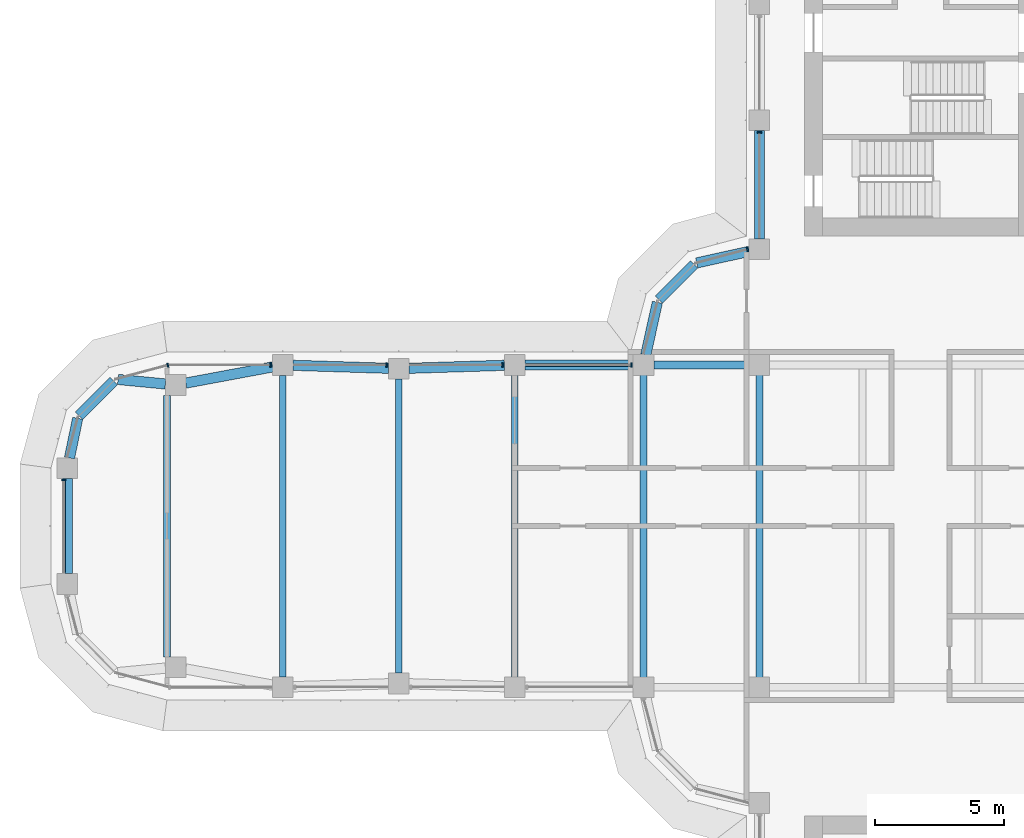
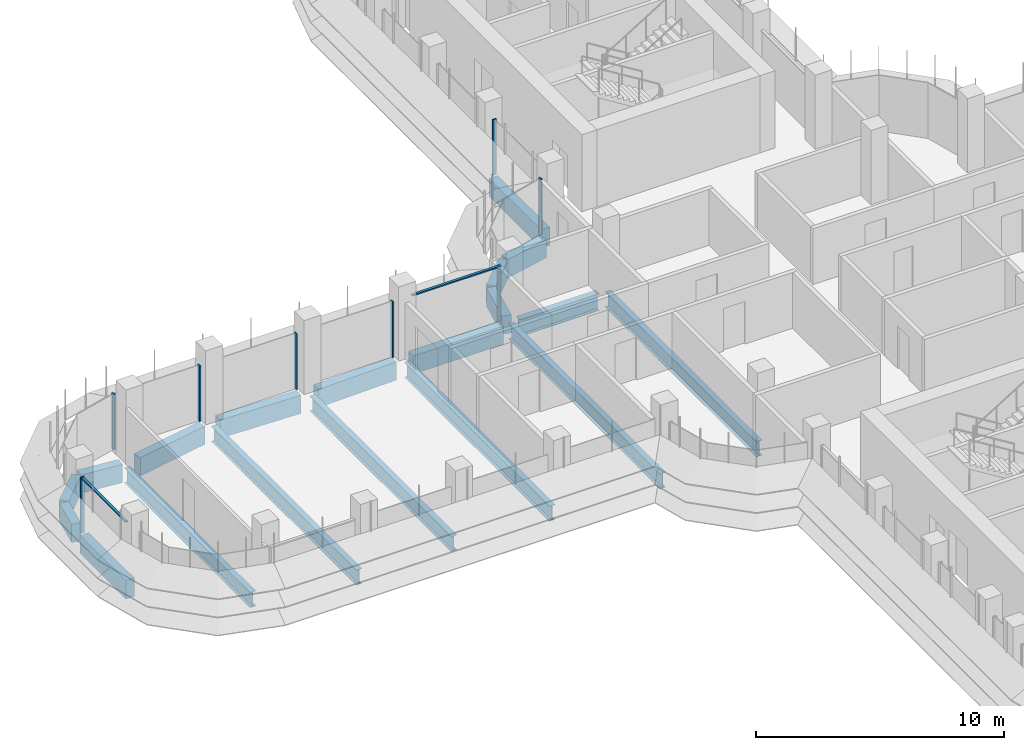
# One storey, part 6 of 20: 19 beams, 10 members, 5 elements without a shape of their own.
"""IFC4 building model written with IfcOpenShell, lengths in metres."""

from ifc_helpers import new_model, si_unit, direction, frame, origin, origin_2d, place, context, subcontext, project, spatial, polyline, rectangle, i_section, outline, extrude, source, transform, mapped, material, material_profile, profile_set, type_object, element, aggregate, save


model = new_model("IFC4")

# Units and contexts
model_context = context("Model", 3, precision=1e-05, world=origin(), true_north=direction((0.0, 1.0)))
body_context = subcontext(model_context, "Body", "Model", "MODEL_VIEW")
ifc_project = project(units=[si_unit("LENGTHUNIT", "METRE"), si_unit("AREAUNIT", "SQUARE_METRE"), si_unit("VOLUMEUNIT", "CUBIC_METRE"), si_unit("PLANEANGLEUNIT", "RADIAN"), si_unit("MASSUNIT", "GRAM", prefix="KILO")], contexts=[model_context])

# Site, building, storey
site_placement = place(None, origin())
site = spatial("IfcSite", under=ifc_project, at=site_placement, CompositionType="ELEMENT")
building_placement = place(site_placement, origin())
building = spatial("IfcBuilding", under=site, at=building_placement, Name="Zarbagh Exchange Tower", CompositionType="ELEMENT")
storey_placement = place(building_placement, frame((0.0, 0.0, 152.39990234375)))
storey = spatial("IfcBuildingStorey", under=building, at=storey_placement, Name="L36", CompositionType="ELEMENT", Elevation=152.39990234375)

# Beams
ifc_material_1 = material(Name="Steel ASTM A992 Gr 50", Category="steel")
ifc_material_profile_1 = material_profile(ifc_material_1, i_section(OverallWidth=0.26416015625, OverallDepth=0.749267578125, WebThickness=0.011962890625, FlangeThickness=0.015380859375, at=origin_2d()), Name="W30X90")
ifc_profile_set_1 = profile_set([ifc_material_profile_1], Name="Steel ASTM A992 Gr 50")
beam_type_1 = type_object("IfcBeamType", Name="Floor beam W30X90", PredefinedType="BEAM", material=ifc_profile_set_1)
for number, where, z_axis, x_axis, name in (
    (1, (-10.75, -6.10400390625, -0.5244140625), (0.0, 1.0, 0.0), (-1.0, 0.0, 0.0), "Steel floor beam"),
    (2, (-6.25, -6.10400390625, -0.5244140625), (0.0, 1.0, 0.0), (-1.0, 0.0, 0.0), "Steel floor beam"),
):
    element("IfcBeam", number, at=place(storey_placement, frame(where, z_axis=z_axis, x_axis=x_axis)), inside=storey, type_object=beam_type_1, Name=name, PredefinedType="BEAM", context=body_context, shape_type="SweptSolid", body=[
        extrude(i_section(OverallWidth=0.26416015625, OverallDepth=0.749267578125, WebThickness=0.011962890625, FlangeThickness=0.015380859375, at=origin_2d()), origin(), (0.0, 0.0, 1.0), 12.2080078125),
    ])
beam_1_placement = place(storey_placement, frame((-15.75, -5.85009765625, -0.5244140625), z_axis=(0.0, 1.0, 0.0), x_axis=(-1.0, 0.0, 0.0)))
element("IfcBeam", 3, at=beam_1_placement, inside=storey, type_object=beam_type_1, Name="Steel floor beam", PredefinedType="BEAM", context=body_context, shape_type="SweptSolid", body=[
    extrude(i_section(OverallWidth=0.26416015625, OverallDepth=0.749267578125, WebThickness=0.011962890625, FlangeThickness=0.015380859375, at=origin_2d()), origin(), (0.0, 0.0, 1.0), 11.7001953125),
])
beam_2_placement = place(storey_placement, frame((-20.25, -5.7099609375, -0.5244140625), z_axis=(0.0, 1.0, 0.0), x_axis=(-1.0, 0.0, 0.0)))
element("IfcBeam", 4, at=beam_2_placement, inside=storey, type_object=beam_type_1, Name="Steel floor beam", PredefinedType="BEAM", context=body_context, shape_type="SweptSolid", body=[
    extrude(i_section(OverallWidth=0.26416015625, OverallDepth=0.749267578125, WebThickness=0.011962890625, FlangeThickness=0.015380859375, at=origin_2d()), origin(), (0.0, 0.0, 1.0), 11.419921875),
])
beam_3_placement = place(storey_placement, frame((-24.75, -5.85009765625, -0.5244140625), z_axis=(0.0, 1.0, 0.0), x_axis=(-1.0, 0.0, 0.0)))
element("IfcBeam", 5, at=beam_3_placement, inside=storey, type_object=beam_type_1, Name="Steel floor beam", PredefinedType="BEAM", context=body_context, shape_type="SweptSolid", body=[
    extrude(i_section(OverallWidth=0.26416015625, OverallDepth=0.749267578125, WebThickness=0.011962890625, FlangeThickness=0.015380859375, at=origin_2d()), origin(), (0.0, 0.0, 1.0), 11.7001953125),
])
beam_4_placement = place(storey_placement, frame((-29.25, -5.074951171875, -0.5244140625), z_axis=(0.0, 1.0, 0.0), x_axis=(-1.0, 0.0, 0.0)))
element("IfcBeam", 6, at=beam_4_placement, inside=storey, type_object=beam_type_1, Name="Steel floor beam", PredefinedType="BEAM", context=body_context, shape_type="SweptSolid", body=[
    extrude(i_section(OverallWidth=0.26416015625, OverallDepth=0.749267578125, WebThickness=0.011962890625, FlangeThickness=0.015380859375, at=origin_2d()), origin(), (0.0, 0.0, 1.0), 10.14990234375),
])
ifc_material_profile_2 = material_profile(ifc_material_1, i_section(OverallWidth=0.2919921875, OverallDepth=0.835693359375, WebThickness=0.013916015625, FlangeThickness=0.018798828125, at=origin_2d()), Name="W33X118")
ifc_profile_set_2 = profile_set([ifc_material_profile_2], Name="Steel ASTM A992 Gr 50")
beam_type_2 = type_object("IfcBeamType", Name="Floor girder W33X118", PredefinedType="BEAM", material=ifc_profile_set_2)
beam_5_placement = place(storey_placement, frame((-10.35009765625, 6.25, -0.567626953125), z_axis=(1.0, 0.0, 0.0), x_axis=(0.0, 1.0, 0.0)))
element("IfcBeam", 7, at=beam_5_placement, inside=storey, type_object=beam_type_2, Name="Steel girder", PredefinedType="BEAM", context=body_context, shape_type="SweptSolid", body=[
    extrude(i_section(OverallWidth=0.2919921875, OverallDepth=0.835693359375, WebThickness=0.013916015625, FlangeThickness=0.018798828125, at=origin_2d()), origin(), (0.0, 0.0, 1.0), 3.7001953125),
])
ifc_material_2 = material(Name="Concrete C50/60", Category="concrete")
ifc_material_profile_3 = material_profile(ifc_material_2, rectangle(XDim=0.39990234375, YDim=0.89990234375, at=origin_2d()), Name="RC spandrel beam 400 x 900 C50/60")
ifc_profile_set_3 = profile_set([ifc_material_profile_3], Name="Concrete C50/60")
beam_type_3 = type_object("IfcBeamType", Name="RC spandrel beam 400 x 900 C50/60", PredefinedType="SPANDREL", material=ifc_profile_set_3)
beam_6_placement = place(storey_placement, frame((-33.110107421875, -1.85009765625, -0.599853515625), z_axis=(0.0, 1.0, 0.0), x_axis=(-1.0, 0.0, 0.0)))
element("IfcBeam", 8, at=beam_6_placement, inside=storey, type_object=beam_type_3, Name="RC spandrel beam", PredefinedType="SPANDREL", context=body_context, shape_type="SweptSolid", body=[
    extrude(rectangle(XDim=0.39990234375, YDim=0.89990234375, at=origin_2d()), origin(), (0.0, 0.0, 1.0), 3.7001953125),
])
beam_7_placement = place(storey_placement, frame((-33.029052734375, 2.6416015625, -0.599853515625), z_axis=(0.20216948151, 0.979350550491, 0.0), x_axis=(-0.979350550491, 0.20216948151, 0.0)))
element("IfcBeam", 9, at=beam_7_placement, inside=storey, type_object=beam_type_3, Name="RC spandrel beam", PredefinedType="SPANDREL", context=body_context, shape_type="SweptSolid", body=[
    extrude(rectangle(XDim=0.39990234375, YDim=0.89990234375, at=origin_2d()), origin(), (0.0, 0.0, 1.0), 1.573486328125),
])
beam_8_placement = place(storey_placement, frame((-32.656494140625, 4.283447265625, -0.599853515625), z_axis=(0.707106781187, 0.707106781187, 0.0), x_axis=(-0.707106781187, 0.707106781187, 0.0)))
element("IfcBeam", 10, at=beam_8_placement, inside=storey, type_object=beam_type_3, Name="RC spandrel beam", PredefinedType="SPANDREL", context=body_context, shape_type="SweptSolid", body=[
    extrude(rectangle(XDim=0.39990234375, YDim=0.89990234375, at=origin_2d()), origin(), (0.0, 0.0, 1.0), 1.9072265625),
])
beam_9_placement = place(storey_placement, frame((-31.147216796875, 5.689697265625, -0.599853515625), z_axis=(0.995435353267, -0.095438239015, 0.0), x_axis=(0.095438239015, 0.995435353267, 0.0)))
element("IfcBeam", 11, at=beam_9_placement, inside=storey, type_object=beam_type_3, Name="RC spandrel beam", PredefinedType="SPANDREL", context=body_context, shape_type="SweptSolid", body=[
    extrude(rectangle(XDim=0.39990234375, YDim=0.89990234375, at=origin_2d()), origin(), (0.0, 0.0, 1.0), 1.849609375),
])
beam_10_placement = place(storey_placement, frame((-28.514892578125, 5.54833984375, -0.599853515625), z_axis=(0.983069862768, 0.183231124313, 0.0), x_axis=(-0.183231124313, 0.983069862768, 0.0)))
element("IfcBeam", 12, at=beam_10_placement, inside=storey, type_object=beam_type_3, Name="RC spandrel beam", PredefinedType="SPANDREL", context=body_context, shape_type="SweptSolid", body=[
    extrude(rectangle(XDim=0.39990234375, YDim=0.89990234375, at=origin_2d()), origin(), (0.0, 0.0, 1.0), 3.4296875),
])
for number, where, z_axis, x_axis, name in (
    (13, (-24.35009765625, 6.237548828125, -0.599853515625), (0.999515416033, -0.031127690444, 0.0), (0.031127690444, 0.999515416033, 0.0), "RC spandrel beam"),
    (14, (-19.85009765625, 6.122314453125, -0.599853515625), (0.999515416033, 0.031127690444, 0.0), (-0.031127690444, 0.999515416033, 0.0), "RC spandrel beam"),
):
    element("IfcBeam", number, at=place(storey_placement, frame(where, z_axis=z_axis, x_axis=x_axis)), inside=storey, type_object=beam_type_3, Name=name, PredefinedType="SPANDREL", context=body_context, shape_type="SweptSolid", body=[
        extrude(rectangle(XDim=0.39990234375, YDim=0.89990234375, at=origin_2d()), origin(), (0.0, 0.0, 1.0), 3.701904296875),
    ])
beam_11_placement = place(storey_placement, frame((-15.35009765625, 6.25, -0.599853515625), z_axis=(1.0, 0.0, 0.0), x_axis=(0.0, 1.0, 0.0)))
element("IfcBeam", 15, at=beam_11_placement, inside=storey, type_object=beam_type_3, Name="RC spandrel beam", PredefinedType="SPANDREL", context=body_context, shape_type="SweptSolid", body=[
    extrude(rectangle(XDim=0.39990234375, YDim=0.89990234375, at=origin_2d()), origin(), (0.0, 0.0, 1.0), 4.2001953125),
])
beam_12_placement = place(storey_placement, frame((-10.66357421875, 6.640625, -0.599853515625), z_axis=(0.216041061437, 0.976384278741, 0.0), x_axis=(-0.976384278741, 0.216041061437, 0.0)))
element("IfcBeam", 16, at=beam_12_placement, inside=storey, type_object=beam_type_3, Name="RC spandrel beam", PredefinedType="SPANDREL", context=body_context, shape_type="SweptSolid", body=[
    extrude(rectangle(XDim=0.39990234375, YDim=0.89990234375, at=origin_2d()), origin(), (0.0, 0.0, 1.0), 2.0927734375),
])
beam_13_placement = place(storey_placement, frame((-10.15771484375, 8.782470703125, -0.599853515625), z_axis=(0.707106781187, 0.707106781187, 0.0), x_axis=(-0.707106781187, 0.707106781187, 0.0)))
element("IfcBeam", 17, at=beam_13_placement, inside=storey, type_object=beam_type_3, Name="RC spandrel beam", PredefinedType="SPANDREL", context=body_context, shape_type="SweptSolid", body=[
    extrude(rectangle(XDim=0.39990234375, YDim=0.89990234375, at=origin_2d()), origin(), (0.0, 0.0, 1.0), 1.94482421875),
])
beam_14_placement = place(storey_placement, frame((-8.68408203125, 10.21142578125, -0.599853515625), z_axis=(0.976384278741, 0.216041061437, 0.0), x_axis=(-0.216041061437, 0.976384278741, 0.0)))
element("IfcBeam", 18, at=beam_14_placement, inside=storey, type_object=beam_type_3, Name="RC spandrel beam", PredefinedType="SPANDREL", context=body_context, shape_type="SweptSolid", body=[
    extrude(rectangle(XDim=0.39990234375, YDim=0.89990234375, at=origin_2d()), origin(), (0.0, 0.0, 1.0), 2.0927734375),
])
beam_15_placement = place(storey_placement, frame((-6.25, 11.14990234375, -0.599853515625), z_axis=(0.0, 1.0, 0.0), x_axis=(-1.0, 0.0, 0.0)))
element("IfcBeam", 19, at=beam_15_placement, inside=storey, type_object=beam_type_3, Name="RC spandrel beam", PredefinedType="SPANDREL", context=body_context, shape_type="SweptSolid", body=[
    extrude(rectangle(XDim=0.39990234375, YDim=0.89990234375, at=origin_2d()), origin(), (0.0, 0.0, 1.0), 4.2001953125),
])

# Curtain wall, member
ifc_material_3 = material(Name="Anodised aluminium frame and glazing", Category="aluminium")
curtain_wall_type = type_object("IfcCurtainWallType", Name="CWB Ribbon glazing, upper zones", PredefinedType="NOTDEFINED", material=ifc_material_3)
curtain_wall_1_placement = place(storey_placement, origin())
curtain_wall_1 = element("IfcCurtainWall", 20, at=curtain_wall_1_placement, inside=storey, type_object=curtain_wall_type, Name="CWB28 curtain wall", PredefinedType="NOTDEFINED")
ifc_material_4 = material(Name="Anodised aluminium frame", Category="aluminium")
member_type_1 = type_object("IfcMemberType", Name="MUB Mullion, anodised aluminium frame", PredefinedType="MULLION", material=ifc_material_4)
shared_shape_1 = source(origin(), body_context, "Body", "SweptSolid", [
    extrude(outline(polyline([(0.0, -0.080078125), (0.06005859375, -0.080078125), (0.06005859375, 0.080078125), (0.0, 0.080078125), (0.0, -0.080078125)])), origin(), (0.0, 0.0, 1.0), 2.75),
])
placement = place(storey_placement, origin())
member_1 = element("IfcMember", 21, at=placement, type_object=member_type_1, Name="CWB28 mullion 4.1", PredefinedType="MULLION", context=body_context, shape_type="MappedRepresentation", body=[
    mapped(shared_shape_1, transform((-6.25, 15.31005859375, 0.0), x_axis=(0.0, -1.0, 0.0), y_axis=(1.0, 0.0, 0.0), z_axis=(0.0, 0.0, 1.0))),
])
aggregate(curtain_wall_1, [member_1])

curtain_wall_2_placement = place(storey_placement, origin())
curtain_wall_2 = element("IfcCurtainWall", 22, at=curtain_wall_2_placement, inside=storey, type_object=curtain_wall_type, Name="CWB29 curtain wall", PredefinedType="NOTDEFINED")
member_2 = element("IfcMember", 23, at=placement, type_object=member_type_1, Name="CWB29 mullion 1.1", PredefinedType="MULLION", context=body_context, shape_type="MappedRepresentation", body=[
    mapped(shared_shape_1, transform((-6.68994140625, 10.74853515625, 0.0), x_axis=(-0.965924289636, -0.258824779902, 0.0), y_axis=(0.258824779902, -0.965924289636, 0.0), z_axis=(0.0, 0.0, 1.0))),
])
aggregate(curtain_wall_2, [member_2])

# Curtain wall, members
curtain_wall_3_placement = place(storey_placement, origin())
curtain_wall_3 = element("IfcCurtainWall", 24, at=curtain_wall_3_placement, inside=storey, type_object=curtain_wall_type, Name="CWB32 curtain wall", PredefinedType="NOTDEFINED")
member_3 = element("IfcMember", 25, at=placement, type_object=member_type_1, Name="CWB32 mullion 1.1", PredefinedType="MULLION", context=body_context, shape_type="MappedRepresentation", body=[
    mapped(shared_shape_1, transform((-11.18994140625, 6.25, 0.0), x_axis=(-1.0, 0.0, 0.0), y_axis=(0.0, -1.0, 0.0), z_axis=(0.0, 0.0, 1.0))),
])
member_4 = element("IfcMember", 26, at=placement, type_object=member_type_1, Name="CWB32 mullion 2.1", PredefinedType="MULLION", context=body_context, shape_type="MappedRepresentation", body=[
    mapped(shared_shape_1, transform((-16.18994140625, 6.25, 0.0), x_axis=(-1.0, 0.0, 0.0), y_axis=(0.0, -1.0, 0.0), z_axis=(0.0, 0.0, 1.0))),
])
member_5 = element("IfcMember", 27, at=placement, type_object=member_type_1, Name="CWB32 mullion 3.1", PredefinedType="MULLION", context=body_context, shape_type="MappedRepresentation", body=[
    mapped(shared_shape_1, transform((-20.68994140625, 6.25, 0.0), x_axis=(-1.0, 0.0, 0.0), y_axis=(0.0, -1.0, 0.0), z_axis=(0.0, 0.0, 1.0))),
])
member_6 = element("IfcMember", 28, at=placement, type_object=member_type_1, Name="CWB32 mullion 4.1", PredefinedType="MULLION", context=body_context, shape_type="MappedRepresentation", body=[
    mapped(shared_shape_1, transform((-25.18994140625, 6.25, 0.0), x_axis=(-1.0, 0.0, 0.0), y_axis=(0.0, -1.0, 0.0), z_axis=(0.0, 0.0, 1.0))),
])

# Curtain wall, member
curtain_wall_4_placement = place(storey_placement, origin())
curtain_wall_4 = element("IfcCurtainWall", 29, at=curtain_wall_4_placement, inside=storey, type_object=curtain_wall_type, Name="CWB33 curtain wall", PredefinedType="NOTDEFINED")
member_7 = element("IfcMember", 30, at=placement, type_object=member_type_1, Name="CWB33 mullion 1.1", PredefinedType="MULLION", context=body_context, shape_type="MappedRepresentation", body=[
    mapped(shared_shape_1, transform((-29.18408203125, 6.25, 0.0), x_axis=(-0.965924289636, -0.258824779902, 0.0), y_axis=(0.258824779902, -0.965924289636, 0.0), z_axis=(0.0, 0.0, 1.0))),
])
aggregate(curtain_wall_4, [member_7])

curtain_wall_5_placement = place(storey_placement, origin())
curtain_wall_5 = element("IfcCurtainWall", 31, at=curtain_wall_5_placement, inside=storey, type_object=curtain_wall_type, Name="CWB36 curtain wall", PredefinedType="NOTDEFINED")
member_8 = element("IfcMember", 32, at=placement, type_object=member_type_1, Name="CWB36 mullion 1.1", PredefinedType="MULLION", context=body_context, shape_type="MappedRepresentation", body=[
    mapped(shared_shape_1, transform((-33.25, 1.81005859375, 0.0), x_axis=(0.0, -1.0, 0.0), y_axis=(1.0, 0.0, 0.0), z_axis=(0.0, 0.0, 1.0))),
])

# Member
member_type_2 = type_object("IfcMemberType", Name="TRB Transom, anodised aluminium frame", PredefinedType="USERDEFINED", material=ifc_material_4)
shared_shape_2 = source(origin(), body_context, "Body", "SweptSolid", [
    extrude(outline(polyline([(-0.06005859375, -0.06005859375), (0.0, -0.06005859375), (0.0, 0.06005859375), (-0.06005859375, 0.06005859375), (-0.06005859375, -0.06005859375)])), origin(), (0.0, 0.0, 1.0), 4.06005859375),
])
member_9 = element("IfcMember", 33, at=placement, type_object=member_type_2, Name="CWB32 transom 1.1", ObjectType="TRANSOM", PredefinedType="USERDEFINED", context=body_context, shape_type="MappedRepresentation", body=[
    mapped(shared_shape_2, transform((-11.25, 6.25, 2.75), x_axis=(0.0, 0.0, 1.0), y_axis=(0.0, 1.0, 0.0), z_axis=(-1.0, 0.0, 0.0))),
])

aggregate(curtain_wall_3, [member_3, member_9, member_4, member_5, member_6])

shared_shape_3 = source(origin(), body_context, "Body", "SweptSolid", [
    extrude(outline(polyline([(-0.06005859375, -0.06005859375), (0.0, -0.06005859375), (0.0, 0.06005859375), (-0.06005859375, 0.06005859375), (-0.06005859375, -0.06005859375)])), origin(), (0.0, 0.0, 1.0), 3.56005859375),
])
member_10 = element("IfcMember", 34, at=placement, type_object=member_type_2, Name="CWB36 transom 1.1", ObjectType="TRANSOM", PredefinedType="USERDEFINED", context=body_context, shape_type="MappedRepresentation", body=[
    mapped(shared_shape_3, transform((-33.25, 1.75, 2.75), x_axis=(0.0, 0.0, 1.0), y_axis=(-1.0, 0.0, 0.0), z_axis=(0.0, -1.0, 0.0))),
])

aggregate(curtain_wall_5, [member_8, member_10])

save(model, "model.ifc")
